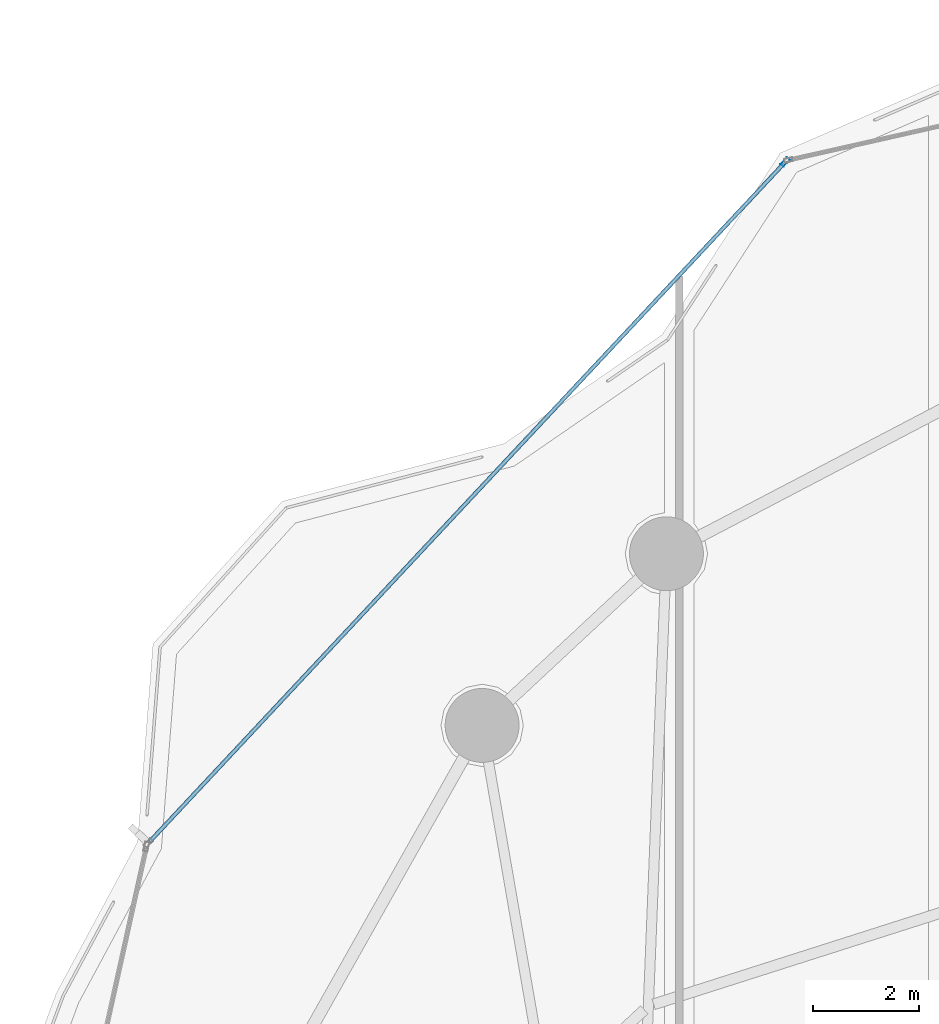
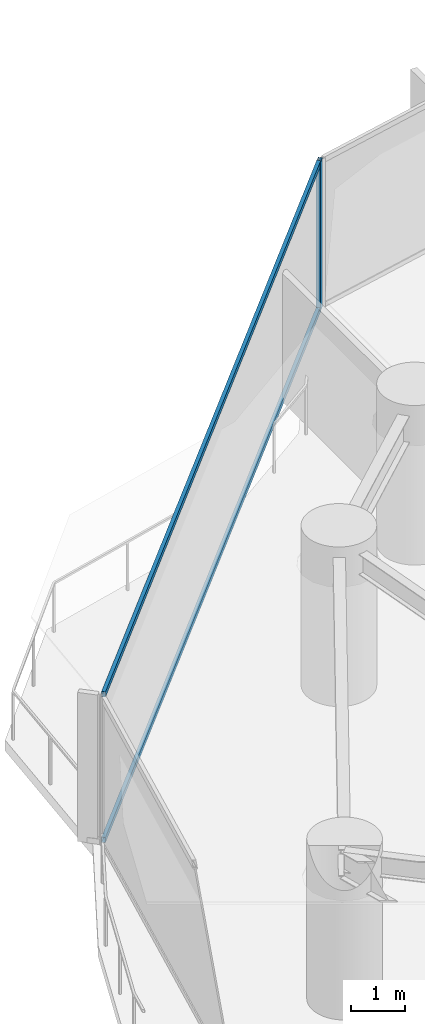
# One storey, part 16 of 34: 3 members, 1 element without a shape of its own.
"""IFC4 building model written with IfcOpenShell, lengths in metres."""

from ifc_helpers import new_model, si_unit, direction, frame, origin, origin_2d, place, context, subcontext, project, spatial, hollow_rectangle, extrude, material, layer, layer_set, material_profile, profile_set, type_object, element, aggregate, save


model = new_model("IFC4")

# Units and contexts
model_context = context("Model", 3, precision=1e-05, world=origin(), true_north=direction((0.0, 1.0)))
body_context = subcontext(model_context, "Body", "Model", "MODEL_VIEW")
ifc_project = project(units=[si_unit("LENGTHUNIT", "METRE"), si_unit("AREAUNIT", "SQUARE_METRE"), si_unit("VOLUMEUNIT", "CUBIC_METRE"), si_unit("PLANEANGLEUNIT", "RADIAN"), si_unit("MASSUNIT", "GRAM", prefix="KILO")], contexts=[model_context])

# Site, building, storey
site_placement = place(None, origin())
site = spatial("IfcSite", under=ifc_project, at=site_placement, CompositionType="ELEMENT")
building_placement = place(site_placement, origin())
building = spatial("IfcBuilding", under=site, at=building_placement, Name="Kazevale Care Tower and Concert Hall", CompositionType="ELEMENT")
storey_placement = place(building_placement, frame((0.0, 0.0, 67.199951171875)))
storey = spatial("IfcBuildingStorey", under=building, at=storey_placement, Name="L17", CompositionType="ELEMENT", Elevation=67.199951171875)

# Curtain wall, members
ifc_material_1 = material(Name="Aluminium 6063-T6 and Low-E Glass", Category="aluminium")
ifc_layer = layer(ifc_material_1, 0.179931640625)
ifc_layer_set = layer_set([ifc_layer], Name="Aluminium 6063-T6 and Low-E Glass")
curtain_wall_type = type_object("IfcCurtainWallType", Name="Convex Checkerboard Finned Curtain Wall CW-2", PredefinedType="NOTDEFINED", material=ifc_layer_set)
curtain_wall_placement = place(storey_placement, origin())
curtain_wall = element("IfcCurtainWall", 1, at=curtain_wall_placement, inside=storey, type_object=curtain_wall_type, Name="cw:L17:f14", PredefinedType="NOTDEFINED")
ifc_material_2 = material(Name="Aluminium 6063-T6", Category="aluminium")
ifc_material_profile_1 = material_profile(ifc_material_2, hollow_rectangle(XDim=0.080078125, YDim=0.179931640625, WallThickness=0.0048828125, at=origin_2d()), Name="ALU80x180x5")
ifc_profile_set_1 = profile_set([ifc_material_profile_1], Name="Aluminium 6063-T6")
member_type_1 = type_object("IfcMemberType", Name="CW-2 Mullion ALU80x180x5", PredefinedType="MULLION", material=ifc_profile_set_1)
member_1_placement = place(storey_placement, frame((25.009765625, 62.847900390625, 0.0), z_axis=(0.0, 0.0, 1.0), x_axis=(-0.730363049987, 0.683059159381, 0.0)))
member_1 = element("IfcMember", 2, at=member_1_placement, type_object=member_type_1, Name="CW-2 mullion 2", PredefinedType="MULLION", context=body_context, shape_type="SweptSolid", body=[
    extrude(hollow_rectangle(XDim=0.080078125, YDim=0.179931640625, WallThickness=0.0048828125, at=origin_2d()), origin(), (0.0, 0.0, 1.0), 3.360107421875),
])
ifc_material_profile_2 = material_profile(ifc_material_2, hollow_rectangle(XDim=0.074951171875, YDim=0.1201171875, WallThickness=0.00390625, at=origin_2d()), Name="ALU75x120x4")
ifc_profile_set_2 = profile_set([ifc_material_profile_2], Name="Aluminium 6063-T6")
member_type_2 = type_object("IfcMemberType", Name="CW-2 Transom ALU75x120x4", PredefinedType="USERDEFINED", material=ifc_profile_set_2)
member_2_placement = place(storey_placement, frame((12.9765625, 49.9814453125, 0.03759765625), z_axis=(0.68306321414, 0.730359257823, 0.0), x_axis=(-0.730359257823, 0.68306321414, 0.0)))
member_2 = element("IfcMember", 3, at=member_2_placement, type_object=member_type_2, Name="CW-2 transom 1.1", ObjectType="TRANSOM", PredefinedType="USERDEFINED", context=body_context, shape_type="SweptSolid", body=[
    extrude(hollow_rectangle(XDim=0.074951171875, YDim=0.1201171875, WallThickness=0.00390625, at=origin_2d()), origin(), (0.0, 0.0, 1.0), 17.576416015625),
])
member_3_placement = place(storey_placement, frame((12.9765625, 49.9814453125, 3.322509765625), z_axis=(0.68306321414, 0.730359257823, 0.0), x_axis=(-0.730359257823, 0.68306321414, 0.0)))
member_3 = element("IfcMember", 4, at=member_3_placement, type_object=member_type_2, Name="CW-2 transom 1.2", ObjectType="TRANSOM", PredefinedType="USERDEFINED", context=body_context, shape_type="SweptSolid", body=[
    extrude(hollow_rectangle(XDim=0.074951171875, YDim=0.1201171875, WallThickness=0.00390625, at=origin_2d()), origin(), (0.0, 0.0, 1.0), 17.576416015625),
])
aggregate(curtain_wall, [member_1, member_2, member_3])

save(model, "model.ifc")
